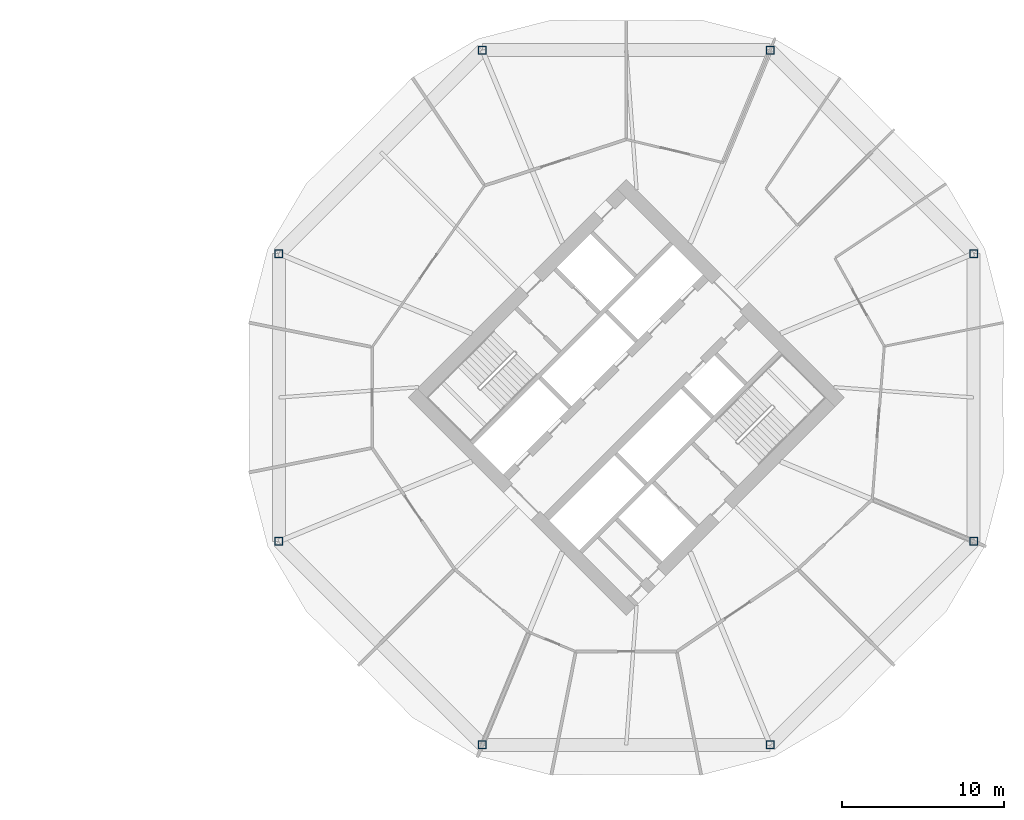
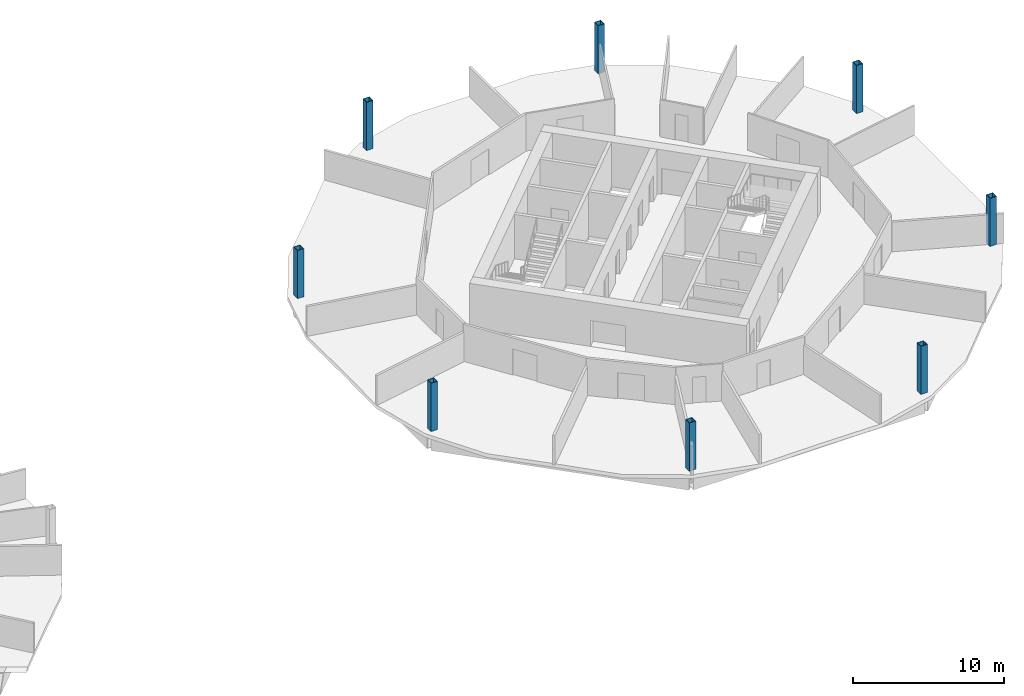
# One storey, part 2 of 10: 8 columns.
"""IFC4 building model written with IfcOpenShell, lengths in metres."""

from ifc_helpers import new_model, si_unit, direction, frame, origin, origin_2d, place, context, subcontext, project, spatial, hollow_rectangle, extrude, material, material_profile, profile_set, type_object, element, save


model = new_model("IFC4")

# Units and contexts
model_context = context("Model", 3, precision=1e-05, world=origin(), true_north=direction((0.0, 1.0)))
body_context = subcontext(model_context, "Body", "Model", "MODEL_VIEW")
ifc_project = project(units=[si_unit("LENGTHUNIT", "METRE"), si_unit("AREAUNIT", "SQUARE_METRE"), si_unit("VOLUMEUNIT", "CUBIC_METRE"), si_unit("PLANEANGLEUNIT", "RADIAN"), si_unit("MASSUNIT", "GRAM", prefix="KILO")], contexts=[model_context])

# Site, building, storey
site_placement = place(None, origin())
site = spatial("IfcSite", under=ifc_project, at=site_placement, CompositionType="ELEMENT")
building_placement = place(site_placement, origin())
building = spatial("IfcBuilding", under=site, at=building_placement, Name="Ogive Gate Towers", CompositionType="ELEMENT")
storey_placement = place(building_placement, frame((0.0, 0.0, 103.5)))
storey = spatial("IfcBuildingStorey", under=building, at=storey_placement, Name="L24", CompositionType="ELEMENT", Elevation=103.5)

# Columns
ifc_material = material(Name="Steel SM460", Category="steel")
ifc_material_profile = material_profile(ifc_material, hollow_rectangle(XDim=0.5, YDim=0.5, WallThickness=0.030029296875, at=origin_2d()), Name="BX 500x500x30")
ifc_profile_set = profile_set([ifc_material_profile], Name="Steel SM460")
column_type = type_object("IfcColumnType", Name="Perimeter post BX 500x500x30", PredefinedType="COLUMN", material=ifc_profile_set)
for number, where, z_axis, x_axis, name in (
    (1, (57.39697265625, 8.863037109375, 0.0), (0.0, 0.0, 1.0), (1.0, 0.0, 0.0), "T2/L24/SCL001"),
    (2, (44.863037109375, 21.39697265625, 0.0), (0.0, 0.0, 1.0), (1.0, 0.0, 0.0), "T2/L24/SCL002"),
    (3, (27.136962890625, 21.39697265625, 0.0), (0.0, 0.0, 1.0), (1.0, 0.0, 0.0), "T2/L24/SCL003"),
    (4, (14.60302734375, 8.863037109375, 0.0), (0.0, 0.0, 1.0), (1.0, 0.0, 0.0), "T2/L24/SCL004"),
    (5, (14.60302734375, -8.863037109375, 0.0), (0.0, 0.0, 1.0), (1.0, 0.0, 0.0), "T2/L24/SCL005"),
    (6, (27.136962890625, -21.39697265625, 0.0), (0.0, 0.0, 1.0), (1.0, 0.0, 0.0), "T2/L24/SCL006"),
    (7, (44.863037109375, -21.39697265625, 0.0), (0.0, 0.0, 1.0), (1.0, 0.0, 0.0), "T2/L24/SCL007"),
    (8, (57.39697265625, -8.863037109375, 0.0), (0.0, 0.0, 1.0), (1.0, 0.0, 0.0), "T2/L24/SCL008"),
):
    element("IfcColumn", number, at=place(storey_placement, frame(where, z_axis=z_axis, x_axis=x_axis)), inside=storey, type_object=column_type, Name=name, PredefinedType="COLUMN", context=body_context, shape_type="SweptSolid", body=[
        extrude(hollow_rectangle(XDim=0.5, YDim=0.5, WallThickness=0.030029296875, at=origin_2d()), origin(), (0.0, 0.0, 1.0), 3.89990234375),
    ])

save(model, "model.ifc")
